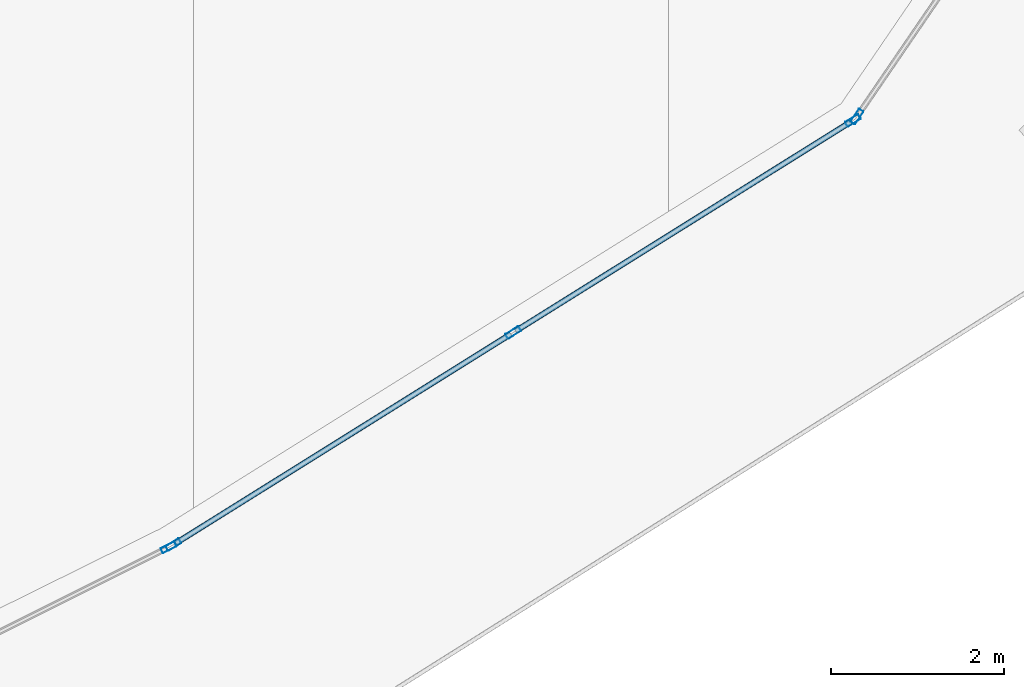
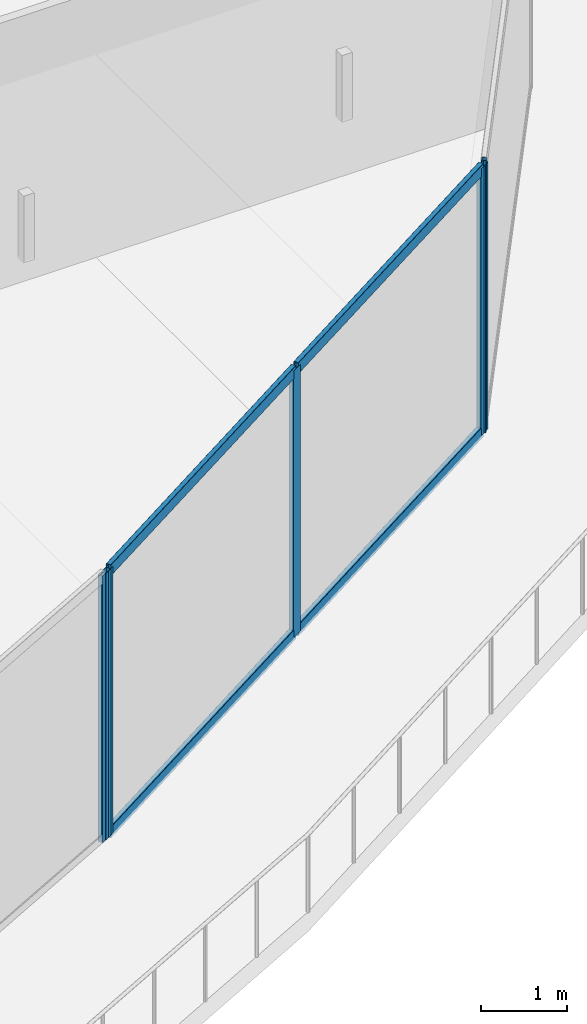
# One storey, part 9 of 45: 9 members, 3 elements without a shape of their own.
"""IFC4 building model written with IfcOpenShell, lengths in metres."""

from ifc_helpers import new_model, si_unit, direction, frame, origin, origin_2d, place, context, subcontext, project, spatial, hollow_rectangle, extrude, material, layer, layer_set, material_profile, profile_set, type_object, element, aggregate, save


model = new_model("IFC4")

# Units and contexts
model_context = context("Model", 3, precision=1e-05, world=origin(), true_north=direction((0.0, 1.0)))
body_context = subcontext(model_context, "Body", "Model", "MODEL_VIEW")
ifc_project = project(units=[si_unit("LENGTHUNIT", "METRE"), si_unit("AREAUNIT", "SQUARE_METRE"), si_unit("VOLUMEUNIT", "CUBIC_METRE"), si_unit("PLANEANGLEUNIT", "RADIAN"), si_unit("MASSUNIT", "GRAM", prefix="KILO")], contexts=[model_context])

# Site, building, storey
site_placement = place(None, origin())
site = spatial("IfcSite", under=ifc_project, at=site_placement, CompositionType="ELEMENT")
building_placement = place(site_placement, origin())
building = spatial("IfcBuilding", under=site, at=building_placement, Name="Qorvath Tower", CompositionType="ELEMENT")
storey_placement = place(building_placement, frame((0.0, 0.0, 109.800048828125)))
storey = spatial("IfcBuildingStorey", under=building, at=storey_placement, Name="L24", CompositionType="ELEMENT", Elevation=109.800048828125)

# Curtain wall, member
ifc_material_1 = material(Name="Anodised aluminium and triple low-E glass", Category="aluminium")
ifc_layer = layer(ifc_material_1, 0.179931640625)
ifc_layer_set = layer_set([ifc_layer], Name="CW-SYS-2")
curtain_wall_type = type_object("IfcCurtainWallType", Name="CW-SYS-2", PredefinedType="NOTDEFINED", material=ifc_layer_set)
curtain_wall_1_placement = place(storey_placement, origin())
curtain_wall_1 = element("IfcCurtainWall", 1, at=curtain_wall_1_placement, inside=storey, type_object=curtain_wall_type, Name="Curtain Wall CW-2 CW-T-L24-3.1", PredefinedType="NOTDEFINED")
ifc_material_2 = material(Name="Anodised aluminium 6063-T6", Category="aluminium")
ifc_material_profile_1 = material_profile(ifc_material_2, hollow_rectangle(XDim=0.06494140625, YDim=0.179931640625, WallThickness=0.00341796875, InnerFilletRadius=0.00341796875, OuterFilletRadius=0.007080078125, at=origin_2d()), Name="CWM 180x65")
ifc_profile_set_1 = profile_set([ifc_material_profile_1], Name="Anodised aluminium 6063-T6")
member_type_1 = type_object("IfcMemberType", Name="CWM-180", PredefinedType="MULLION", material=ifc_profile_set_1)
member_1_placement = place(storey_placement, frame((-11.228759765625, -28.875, 0.0), z_axis=(0.0, 0.0, 1.0), x_axis=(-0.447181364469, 0.89444330579, 0.0)))
member_1 = element("IfcMember", 2, at=member_1_placement, type_object=member_type_1, Name="CW-2 mullion 2", PredefinedType="MULLION", context=body_context, shape_type="SweptSolid", body=[
    extrude(hollow_rectangle(XDim=0.06494140625, YDim=0.179931640625, WallThickness=0.00341796875, InnerFilletRadius=0.00341796875, OuterFilletRadius=0.007080078125, at=origin_2d()), origin(), (0.0, 0.0, 1.0), 3.77001953125),
])
aggregate(curtain_wall_1, [member_1])

# Curtain wall, members
curtain_wall_2_placement = place(storey_placement, origin())
curtain_wall_2 = element("IfcCurtainWall", 3, at=curtain_wall_2_placement, inside=storey, type_object=curtain_wall_type, Name="Curtain Wall CW-2 CW-T-L24-4.1", PredefinedType="NOTDEFINED")
member_2_placement = place(storey_placement, frame((-11.172119140625, -28.84326171875, 0.0), z_axis=(0.0, 0.0, 1.0), x_axis=(-0.529548597524, 0.848279601818, 0.0)))
member_2 = element("IfcMember", 4, at=member_2_placement, type_object=member_type_1, Name="CW-2 mullion 1", PredefinedType="MULLION", context=body_context, shape_type="SweptSolid", body=[
    extrude(hollow_rectangle(XDim=0.06494140625, YDim=0.179931640625, WallThickness=0.00341796875, InnerFilletRadius=0.00341796875, OuterFilletRadius=0.007080078125, at=origin_2d()), origin(), (0.0, 0.0, 1.0), 3.77001953125),
])
member_3_placement = place(storey_placement, frame((-7.25390625, -26.397216796875, 0.0), z_axis=(0.0, 0.0, 1.0), x_axis=(-0.529548597524, 0.848279601818, 0.0)))
member_3 = element("IfcMember", 5, at=member_3_placement, type_object=member_type_1, Name="CW-2 mullion 2", PredefinedType="MULLION", context=body_context, shape_type="SweptSolid", body=[
    extrude(hollow_rectangle(XDim=0.06494140625, YDim=0.179931640625, WallThickness=0.00341796875, InnerFilletRadius=0.00341796875, OuterFilletRadius=0.007080078125, at=origin_2d()), origin(), (0.0, 0.0, 1.0), 3.77001953125),
])
member_4_placement = place(storey_placement, frame((-3.3359375, -23.951416015625, 0.0), z_axis=(0.0, 0.0, 1.0), x_axis=(-0.529548597524, 0.848279601818, 0.0)))
member_4 = element("IfcMember", 6, at=member_4_placement, type_object=member_type_1, Name="CW-2 mullion 3", PredefinedType="MULLION", context=body_context, shape_type="SweptSolid", body=[
    extrude(hollow_rectangle(XDim=0.06494140625, YDim=0.179931640625, WallThickness=0.00341796875, InnerFilletRadius=0.00341796875, OuterFilletRadius=0.007080078125, at=origin_2d()), origin(), (0.0, 0.0, 1.0), 3.77001953125),
])

# Curtain wall, member
curtain_wall_3_placement = place(storey_placement, origin())
curtain_wall_3 = element("IfcCurtainWall", 7, at=curtain_wall_3_placement, inside=storey, type_object=curtain_wall_type, Name="Curtain Wall CW-2 CW-T-L24-5.1", PredefinedType="NOTDEFINED")
member_5_placement = place(storey_placement, frame((-3.2900390625, -23.9072265625, 0.0), z_axis=(0.0, 0.0, 1.0), x_axis=(-0.825695001763, 0.564116800019, 0.0)))
member_5 = element("IfcMember", 8, at=member_5_placement, type_object=member_type_1, Name="CW-2 mullion 1", PredefinedType="MULLION", context=body_context, shape_type="SweptSolid", body=[
    extrude(hollow_rectangle(XDim=0.06494140625, YDim=0.179931640625, WallThickness=0.00341796875, InnerFilletRadius=0.00341796875, OuterFilletRadius=0.007080078125, at=origin_2d()), origin(), (0.0, 0.0, 1.0), 3.77001953125),
])
aggregate(curtain_wall_3, [member_5])

# Member
ifc_material_3 = material(Name="Anodised aluminium 6063-T6", Category="aluminium")
ifc_material_profile_2 = material_profile(ifc_material_3, hollow_rectangle(XDim=0.06494140625, YDim=0.159912109375, WallThickness=0.00341796875, InnerFilletRadius=0.00341796875, OuterFilletRadius=0.007080078125, at=origin_2d()), Name="CWT 160x65")
ifc_profile_set_2 = profile_set([ifc_material_profile_2], Name="Anodised aluminium 6063-T6")
member_type_2 = type_object("IfcMemberType", Name="CWT-160", PredefinedType="USERDEFINED", material=ifc_profile_set_2)
member_6_placement = place(storey_placement, frame((-11.14453125, -28.825927734375, 0.032470703125), z_axis=(0.848296346678, 0.529521773124, 0.0), x_axis=(-0.529521773124, 0.848296346678, 0.0)))
member_6 = element("IfcMember", 9, at=member_6_placement, type_object=member_type_2, Name="CW-2 transom 1.1", ObjectType="TRANSOM", PredefinedType="USERDEFINED", context=body_context, shape_type="SweptSolid", body=[
    extrude(hollow_rectangle(XDim=0.06494140625, YDim=0.159912109375, WallThickness=0.00341796875, InnerFilletRadius=0.00341796875, OuterFilletRadius=0.007080078125, at=origin_2d()), origin(), (0.0, 0.0, 1.0), 4.553955078125),
])

member_7_placement = place(storey_placement, frame((-11.14453125, -28.825927734375, 3.737548828125), z_axis=(0.848296346678, 0.529521773124, 0.0), x_axis=(-0.529521773124, 0.848296346678, 0.0)))
member_7 = element("IfcMember", 10, at=member_7_placement, type_object=member_type_2, Name="CW-2 transom 1.2", ObjectType="TRANSOM", PredefinedType="USERDEFINED", context=body_context, shape_type="SweptSolid", body=[
    extrude(hollow_rectangle(XDim=0.06494140625, YDim=0.159912109375, WallThickness=0.00341796875, InnerFilletRadius=0.00341796875, OuterFilletRadius=0.007080078125, at=origin_2d()), origin(), (0.0, 0.0, 1.0), 4.553955078125),
])

member_8_placement = place(storey_placement, frame((-7.226318359375, -26.380126953125, 0.032470703125), z_axis=(0.848257229493, 0.529584433885, 0.0), x_axis=(-0.529584433885, 0.848257229493, 0.0)))
member_8 = element("IfcMember", 11, at=member_8_placement, type_object=member_type_2, Name="CW-2 transom 2.1", ObjectType="TRANSOM", PredefinedType="USERDEFINED", context=body_context, shape_type="SweptSolid", body=[
    extrude(hollow_rectangle(XDim=0.06494140625, YDim=0.159912109375, WallThickness=0.00341796875, InnerFilletRadius=0.00341796875, OuterFilletRadius=0.007080078125, at=origin_2d()), origin(), (0.0, 0.0, 1.0), 4.5537109375),
])

member_9_placement = place(storey_placement, frame((-7.226318359375, -26.380126953125, 3.737548828125), z_axis=(0.848257229493, 0.529584433885, 0.0), x_axis=(-0.529584433885, 0.848257229493, 0.0)))
member_9 = element("IfcMember", 12, at=member_9_placement, type_object=member_type_2, Name="CW-2 transom 2.2", ObjectType="TRANSOM", PredefinedType="USERDEFINED", context=body_context, shape_type="SweptSolid", body=[
    extrude(hollow_rectangle(XDim=0.06494140625, YDim=0.159912109375, WallThickness=0.00341796875, InnerFilletRadius=0.00341796875, OuterFilletRadius=0.007080078125, at=origin_2d()), origin(), (0.0, 0.0, 1.0), 4.5537109375),
])

aggregate(curtain_wall_2, [member_2, member_3, member_4, member_6, member_7, member_8, member_9])

save(model, "model.ifc")
